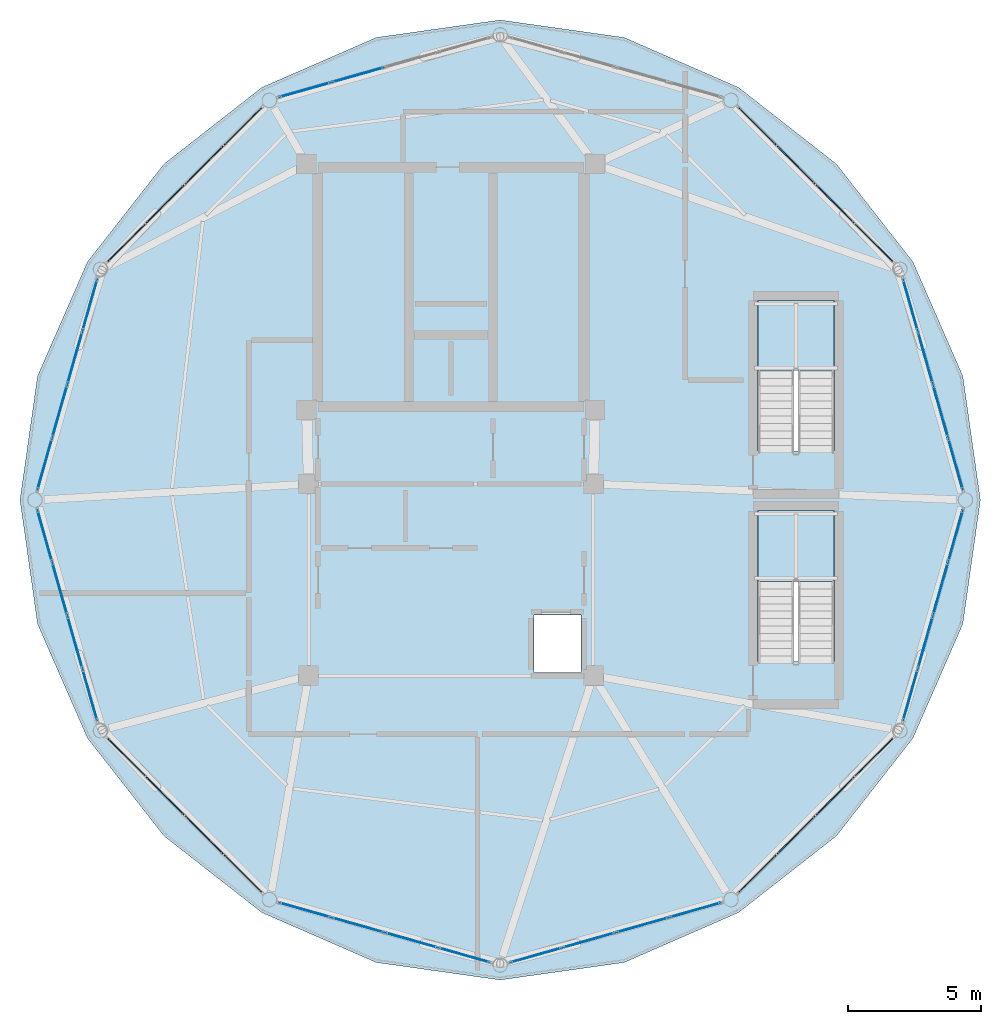
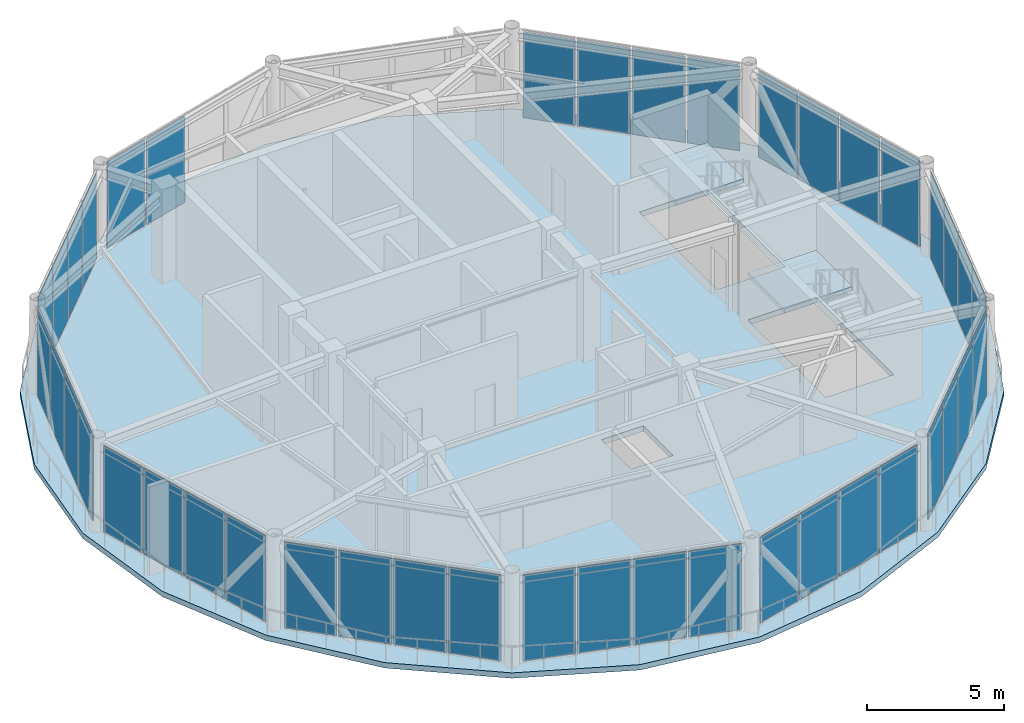
# One storey, part 15 of 20: 42 plates, 3 slabs, 13 elements without a shape of their own.
"""IFC4 building model written with IfcOpenShell, lengths in metres."""

from ifc_helpers import new_model, si_unit, direction, frame, origin, origin_2d, place, context, subcontext, project, spatial, polyline, rectangle, outline, extrude, source, transform, mapped, material, layer, layer_set, type_object, type_shapes, element, aggregate, save


model = new_model("IFC4")

# Units and contexts
model_context = context("Model", 3, precision=1e-05, world=origin(), true_north=direction((0.0, 1.0)))
body_context = subcontext(model_context, "Body", "Model", "MODEL_VIEW")
ifc_project = project(units=[si_unit("LENGTHUNIT", "METRE"), si_unit("AREAUNIT", "SQUARE_METRE"), si_unit("VOLUMEUNIT", "CUBIC_METRE"), si_unit("PLANEANGLEUNIT", "RADIAN"), si_unit("MASSUNIT", "GRAM", prefix="KILO")], contexts=[model_context])

# Site, building, storey
site_placement = place(None, origin())
site = spatial("IfcSite", under=ifc_project, at=site_placement, CompositionType="ELEMENT")
building_placement = place(site_placement, origin())
building = spatial("IfcBuilding", under=site, at=building_placement, Name="Varnakorn Sky Granary", CompositionType="ELEMENT")
storey_placement = place(building_placement, frame((0.0, 0.0, 302.39990234375)))
storey = spatial("IfcBuildingStorey", under=building, at=storey_placement, Name="L77", CompositionType="ELEMENT", Elevation=302.39990234375)

# Stair, slab
ifc_material_1 = material(Name="Concrete C40/50", Category="concrete")
stair_type = type_object("IfcStairType", Name="ST-CRWN-ASSEMBLY", PredefinedType="HALF_TURN_STAIR", material=ifc_material_1)
stair_1_placement = place(storey_placement, origin())
stair_1 = element("IfcStair", 1, at=stair_1_placement, inside=storey, type_object=stair_type, Name="L77 Crown North Exit Stair ST-C1", PredefinedType="HALF_TURN_STAIR")
ifc_layer_1 = layer(ifc_material_1, 0.199951171875, Name="Concrete C40/50")
ifc_layer_set_1 = layer_set([ifc_layer_1], Name="Concrete C40/50")
slab_type_1 = type_object("IfcSlabType", Name="ST-CRWN-LAND", PredefinedType="LANDING", material=ifc_layer_set_1)
slab_1_placement = place(storey_placement, frame((0.0, 0.0, 1.900146484375)))
slab_1 = element("IfcSlab", 2, at=slab_1_placement, type_object=slab_type_1, Name="ST-C1 landing 1", PredefinedType="LANDING", context=body_context, shape_type="SweptSolid", body=[
    extrude(outline(polyline([(17.39990234375, 4.840087890625), (17.39990234375, 7.5), (14.530029296875, 7.5), (14.530029296875, 4.840087890625), (17.39990234375, 4.840087890625)])), origin(), (0.0, 0.0, 1.0), 0.199951171875),
])
aggregate(stair_1, [slab_1])

stair_2_placement = place(storey_placement, origin())
stair_2 = element("IfcStair", 3, at=stair_2_placement, inside=storey, type_object=stair_type, Name="L77 Crown South Exit Stair ST-C2", PredefinedType="HALF_TURN_STAIR")
slab_2_placement = place(storey_placement, frame((0.0, 0.0, 1.900146484375)))
slab_2 = element("IfcSlab", 4, at=slab_2_placement, type_object=slab_type_1, Name="ST-C2 landing 1", PredefinedType="LANDING", context=body_context, shape_type="SweptSolid", body=[
    extrude(outline(polyline([(17.39990234375, -3.06005859375), (17.39990234375, -0.39990234375), (14.530029296875, -0.39990234375), (14.530029296875, -3.06005859375), (17.39990234375, -3.06005859375)])), origin(), (0.0, 0.0, 1.0), 0.199951171875),
])
aggregate(stair_2, [slab_2])

# Slab
ifc_material_2 = material(Name="Concrete C50/60", Category="concrete")
ifc_layer_2 = layer(ifc_material_2, 0.239990234375, Name="Concrete C50/60")
ifc_layer_set_2 = layer_set([ifc_layer_2], Name="Concrete C50/60")
slab_type_2 = type_object("IfcSlabType", Name="ST-SL-TWR-240", PredefinedType="FLOOR", material=ifc_layer_set_2)
slab_3_placement = place(storey_placement, frame((0.0, 0.0, -0.239990234375)))
element("IfcSlab", 5, at=slab_3_placement, inside=storey, type_object=slab_type_2, Name="Level L77 Structural Floor Slab", PredefinedType="FLOOR", context=body_context, shape_type="SweptSolid", body=[
    extrude(outline(polyline([(22.89306640625, 0.0), (22.234619140625, 4.656494140625), (20.35888671875, 8.950439453125), (17.48095703125, 12.626220703125), (13.803955078125, 15.502685546875), (9.50830078125, 17.3779296875), (4.85009765625, 18.035888671875), (0.19189453125, 17.3779296875), (-4.10400390625, 15.502685546875), (-7.781005859375, 12.626220703125), (-10.65869140625, 8.950439453125), (-12.53466796875, 4.656494140625), (-13.193115234375, 0.0), (-12.53466796875, -4.656494140625), (-10.65869140625, -8.950439453125), (-7.781005859375, -12.626220703125), (-4.10400390625, -15.502685546875), (0.19189453125, -17.3779296875), (4.85009765625, -18.035888671875), (9.50830078125, -17.3779296875), (13.803955078125, -15.502685546875), (17.48095703125, -12.626220703125), (20.35888671875, -8.950439453125), (22.234619140625, -4.656494140625), (22.89306640625, 0.0)]), holes=[polyline([(17.39990234375, 1.8349609375), (17.39990234375, 7.5), (14.530029296875, 7.5), (14.530029296875, 1.8349609375), (17.39990234375, 1.8349609375)]), polyline([(17.39990234375, -6.06494140625), (17.39990234375, -0.39990234375), (14.530029296875, -0.39990234375), (14.530029296875, -6.06494140625), (17.39990234375, -6.06494140625)]), polyline([(6.1201171875, -6.47998046875), (7.8798828125, -6.47998046875), (7.8798828125, -4.320068359375), (6.1201171875, -4.320068359375), (6.1201171875, -6.47998046875)])]), origin(), (0.0, 0.0, 1.0), 0.239990234375),
])

# Curtain wall, plates
ifc_material_3 = material(Name="Anodised Bronze Aluminium Alloy 6063-T6", Category="aluminium")
ifc_layer_3 = layer(ifc_material_3, 0.22998046875, Name="Anodised Bronze Aluminium Alloy 6063-T6")
ifc_layer_set_3 = layer_set([ifc_layer_3], Name="Anodised Bronze Aluminium Alloy 6063-T6")
curtain_wall_type = type_object("IfcCurtainWallType", Name="CW-LNT-1", PredefinedType="USERDEFINED", material=ifc_layer_set_3)
curtain_wall_1_placement = place(storey_placement, origin())
curtain_wall_1 = element("IfcCurtainWall", 6, at=curtain_wall_1_placement, inside=storey, type_object=curtain_wall_type, Name="Unitised Curtain Wall CW7 CW-L77-B01", ObjectType="CURTAIN WALL", PredefinedType="USERDEFINED")
ifc_material_4 = material(Name="Opaque Insulated Aluminium Shadow-Box Unit", Category="aluminium")
ifc_layer_4 = layer(ifc_material_4, 0.035888671875, Name="Opaque Insulated Aluminium Shadow-Box Unit")
ifc_layer_set_4 = layer_set([ifc_layer_4], Name="Opaque Insulated Aluminium Shadow-Box Unit")
plate_type = type_object("IfcPlateType", Name="CW-LNT-1-PNL", PredefinedType="CURTAIN_PANEL")
shared_shape_1 = source(origin(), body_context, "Body", "SweptSolid", [
    extrude(rectangle(XDim=1.97216796875, YDim=0.035888671875, at=origin_2d()), origin(), (0.0, 0.0, 1.0), 3.81005859375),
])
plate_1_placement = place(storey_placement, frame((20.2646484375, 7.328125, 0.074951171875), z_axis=(0.0, 0.0, 1.0), x_axis=(0.272859552634, -0.962053878188, 0.0)))
plate_1 = element("IfcPlate", 7, at=plate_1_placement, type_object=plate_type, material=ifc_layer_set_4, Name="CW7 opaque insulated shadow-box unit 1.1", PredefinedType="CURTAIN_PANEL", context=body_context, shape_type="MappedRepresentation", body=[
    mapped(shared_shape_1, transform((0.0, 0.0, 0.0), x_axis=(1.0, 0.0, 0.0), y_axis=(0.0, 1.0, 0.0), z_axis=(0.0, 0.0, 1.0), scale=1.0)),
])
ifc_material_5 = material(Name="Low-E Tinted Laminated Glass", Category="glass")
ifc_layer_5 = layer(ifc_material_5, 0.035888671875, Name="Low-E Tinted Laminated Glass")
ifc_layer_set_5 = layer_set([ifc_layer_5], Name="Low-E Tinted Laminated Glass")
plate_2_placement = place(storey_placement, frame((21.9609375, 1.347412109375, 0.074951171875), z_axis=(0.0, 0.0, 1.0), x_axis=(0.272859552634, -0.962053878188, 0.0)))
plate_2 = element("IfcPlate", 8, at=plate_2_placement, type_object=plate_type, material=ifc_layer_set_5, Name="CW7 vision glazing unit 4.1", PredefinedType="CURTAIN_PANEL", context=body_context, shape_type="MappedRepresentation", body=[
    mapped(shared_shape_1, transform((0.0, 0.0, 0.0), x_axis=(1.0, 0.0, 0.0), y_axis=(0.0, 1.0, 0.0), z_axis=(0.0, 0.0, 1.0), scale=1.0)),
])

curtain_wall_2_placement = place(storey_placement, origin())
curtain_wall_2 = element("IfcCurtainWall", 9, at=curtain_wall_2_placement, inside=storey, type_object=curtain_wall_type, Name="Unitised Curtain Wall CW7 CW-L77-B06", ObjectType="CURTAIN WALL", PredefinedType="USERDEFINED")
plate_3_placement = place(storey_placement, frame((-12.260986328125, 1.347412109375, 0.074951171875), z_axis=(0.0, 0.0, 1.0), x_axis=(0.272859552634, 0.962053878188, 0.0)))
plate_3 = element("IfcPlate", 10, at=plate_3_placement, type_object=plate_type, material=ifc_layer_set_5, Name="CW7 vision glazing unit 1.1", PredefinedType="CURTAIN_PANEL", context=body_context, shape_type="MappedRepresentation", body=[
    mapped(shared_shape_1, transform((0.0, 0.0, 0.0), x_axis=(1.0, 0.0, 0.0), y_axis=(0.0, 1.0, 0.0), z_axis=(0.0, 0.0, 1.0), scale=1.0)),
])
plate_4_placement = place(storey_placement, frame((-10.564697265625, 7.328125, 0.074951171875), z_axis=(0.0, 0.0, 1.0), x_axis=(0.272859552634, 0.962053878188, 0.0)))
plate_4 = element("IfcPlate", 11, at=plate_4_placement, type_object=plate_type, material=ifc_layer_set_4, Name="CW7 opaque insulated shadow-box unit 4.1", PredefinedType="CURTAIN_PANEL", context=body_context, shape_type="MappedRepresentation", body=[
    mapped(shared_shape_1, transform((0.0, 0.0, 0.0), x_axis=(1.0, 0.0, 0.0), y_axis=(0.0, 1.0, 0.0), z_axis=(0.0, 0.0, 1.0), scale=1.0)),
])

curtain_wall_3_placement = place(storey_placement, origin())
curtain_wall_3 = element("IfcCurtainWall", 12, at=curtain_wall_3_placement, inside=storey, type_object=curtain_wall_type, Name="Unitised Curtain Wall CW7 CW-L77-B07", ObjectType="CURTAIN WALL", PredefinedType="USERDEFINED")
plate_5_placement = place(storey_placement, frame((-10.564697265625, -7.328125, 0.074951171875), z_axis=(0.0, 0.0, 1.0), x_axis=(-0.272859552634, 0.962053878188, 0.0)))
plate_5 = element("IfcPlate", 13, at=plate_5_placement, type_object=plate_type, material=ifc_layer_set_4, Name="CW7 opaque insulated shadow-box unit 1.1", PredefinedType="CURTAIN_PANEL", context=body_context, shape_type="MappedRepresentation", body=[
    mapped(shared_shape_1, transform((0.0, 0.0, 0.0), x_axis=(1.0, 0.0, 0.0), y_axis=(0.0, 1.0, 0.0), z_axis=(0.0, 0.0, 1.0), scale=1.0)),
])
plate_6_placement = place(storey_placement, frame((-12.260986328125, -1.347412109375, 0.074951171875), z_axis=(0.0, 0.0, 1.0), x_axis=(-0.272859552634, 0.962053878188, 0.0)))
plate_6 = element("IfcPlate", 14, at=plate_6_placement, type_object=plate_type, material=ifc_layer_set_5, Name="CW7 vision glazing unit 4.1", PredefinedType="CURTAIN_PANEL", context=body_context, shape_type="MappedRepresentation", body=[
    mapped(shared_shape_1, transform((0.0, 0.0, 0.0), x_axis=(1.0, 0.0, 0.0), y_axis=(0.0, 1.0, 0.0), z_axis=(0.0, 0.0, 1.0), scale=1.0)),
])

curtain_wall_4_placement = place(storey_placement, origin())
curtain_wall_4 = element("IfcCurtainWall", 15, at=curtain_wall_4_placement, inside=storey, type_object=curtain_wall_type, Name="Unitised Curtain Wall CW7 CW-L77-B12", ObjectType="CURTAIN WALL", PredefinedType="USERDEFINED")
plate_7_placement = place(storey_placement, frame((21.9609375, -1.347412109375, 0.074951171875), z_axis=(0.0, 0.0, 1.0), x_axis=(-0.272859552634, -0.962053878188, 0.0)))
plate_7 = element("IfcPlate", 16, at=plate_7_placement, type_object=plate_type, material=ifc_layer_set_5, Name="CW7 vision glazing unit 1.1", PredefinedType="CURTAIN_PANEL", context=body_context, shape_type="MappedRepresentation", body=[
    mapped(shared_shape_1, transform((0.0, 0.0, 0.0), x_axis=(1.0, 0.0, 0.0), y_axis=(0.0, 1.0, 0.0), z_axis=(0.0, 0.0, 1.0), scale=1.0)),
])
plate_8_placement = place(storey_placement, frame((20.2646484375, -7.328125, 0.074951171875), z_axis=(0.0, 0.0, 1.0), x_axis=(-0.272859552634, -0.962053878188, 0.0)))
plate_8 = element("IfcPlate", 17, at=plate_8_placement, type_object=plate_type, material=ifc_layer_set_4, Name="CW7 opaque insulated shadow-box unit 4.1", PredefinedType="CURTAIN_PANEL", context=body_context, shape_type="MappedRepresentation", body=[
    mapped(shared_shape_1, transform((0.0, 0.0, 0.0), x_axis=(1.0, 0.0, 0.0), y_axis=(0.0, 1.0, 0.0), z_axis=(0.0, 0.0, 1.0), scale=1.0)),
])

# Plate
shared_shape_2 = source(origin(), body_context, "Body", "SweptSolid", [
    extrude(rectangle(XDim=2.009765625, YDim=0.035888671875, at=origin_2d()), origin(), (0.0, 0.0, 1.0), 3.81005859375),
])
plate_9_placement = place(storey_placement, frame((20.828369140625, 5.340576171875, 0.074951171875), z_axis=(0.0, 0.0, 1.0), x_axis=(0.272859552634, -0.962053878188, 0.0)))
plate_9 = element("IfcPlate", 18, at=plate_9_placement, type_object=plate_type, material=ifc_layer_set_4, Name="CW7 opaque insulated shadow-box unit 2.1", PredefinedType="CURTAIN_PANEL", context=body_context, shape_type="MappedRepresentation", body=[
    mapped(shared_shape_2, transform((0.0, 0.0, 0.0), x_axis=(1.0, 0.0, 0.0), y_axis=(0.0, 1.0, 0.0), z_axis=(0.0, 0.0, 1.0), scale=1.0)),
])

plate_10_placement = place(storey_placement, frame((21.397216796875, 3.3349609375, 0.074951171875), z_axis=(0.0, 0.0, 1.0), x_axis=(0.272859552634, -0.962053878188, 0.0)))
plate_10 = element("IfcPlate", 19, at=plate_10_placement, type_object=plate_type, material=ifc_layer_set_5, Name="CW7 vision glazing unit 3.1", PredefinedType="CURTAIN_PANEL", context=body_context, shape_type="MappedRepresentation", body=[
    mapped(shared_shape_2, transform((0.0, 0.0, 0.0), x_axis=(1.0, 0.0, 0.0), y_axis=(0.0, 1.0, 0.0), z_axis=(0.0, 0.0, 1.0), scale=1.0)),
])

aggregate(curtain_wall_1, [plate_1, plate_9, plate_10, plate_2])

plate_11_placement = place(storey_placement, frame((-11.697265625, 3.3349609375, 0.074951171875), z_axis=(0.0, 0.0, 1.0), x_axis=(0.272859552634, 0.962053878188, 0.0)))
plate_11 = element("IfcPlate", 20, at=plate_11_placement, type_object=plate_type, material=ifc_layer_set_5, Name="CW7 vision glazing unit 2.1", PredefinedType="CURTAIN_PANEL", context=body_context, shape_type="MappedRepresentation", body=[
    mapped(shared_shape_2, transform((0.0, 0.0, 0.0), x_axis=(1.0, 0.0, 0.0), y_axis=(0.0, 1.0, 0.0), z_axis=(0.0, 0.0, 1.0), scale=1.0)),
])

plate_12_placement = place(storey_placement, frame((-11.12841796875, 5.340576171875, 0.074951171875), z_axis=(0.0, 0.0, 1.0), x_axis=(0.272859552634, 0.962053878188, 0.0)))
plate_12 = element("IfcPlate", 21, at=plate_12_placement, type_object=plate_type, material=ifc_layer_set_4, Name="CW7 opaque insulated shadow-box unit 3.1", PredefinedType="CURTAIN_PANEL", context=body_context, shape_type="MappedRepresentation", body=[
    mapped(shared_shape_2, transform((0.0, 0.0, 0.0), x_axis=(1.0, 0.0, 0.0), y_axis=(0.0, 1.0, 0.0), z_axis=(0.0, 0.0, 1.0), scale=1.0)),
])

aggregate(curtain_wall_2, [plate_3, plate_11, plate_12, plate_4])

plate_13_placement = place(storey_placement, frame((-11.12841796875, -5.340576171875, 0.074951171875), z_axis=(0.0, 0.0, 1.0), x_axis=(-0.272859552634, 0.962053878188, 0.0)))
plate_13 = element("IfcPlate", 22, at=plate_13_placement, type_object=plate_type, material=ifc_layer_set_4, Name="CW7 opaque insulated shadow-box unit 2.1", PredefinedType="CURTAIN_PANEL", context=body_context, shape_type="MappedRepresentation", body=[
    mapped(shared_shape_2, transform((0.0, 0.0, 0.0), x_axis=(1.0, 0.0, 0.0), y_axis=(0.0, 1.0, 0.0), z_axis=(0.0, 0.0, 1.0), scale=1.0)),
])

plate_14_placement = place(storey_placement, frame((-11.697265625, -3.3349609375, 0.074951171875), z_axis=(0.0, 0.0, 1.0), x_axis=(-0.272859552634, 0.962053878188, 0.0)))
plate_14 = element("IfcPlate", 23, at=plate_14_placement, type_object=plate_type, material=ifc_layer_set_5, Name="CW7 vision glazing unit 3.1", PredefinedType="CURTAIN_PANEL", context=body_context, shape_type="MappedRepresentation", body=[
    mapped(shared_shape_2, transform((0.0, 0.0, 0.0), x_axis=(1.0, 0.0, 0.0), y_axis=(0.0, 1.0, 0.0), z_axis=(0.0, 0.0, 1.0), scale=1.0)),
])

aggregate(curtain_wall_3, [plate_5, plate_13, plate_14, plate_6])

plate_15_placement = place(storey_placement, frame((21.397216796875, -3.3349609375, 0.074951171875), z_axis=(0.0, 0.0, 1.0), x_axis=(-0.272859552634, -0.962053878188, 0.0)))
plate_15 = element("IfcPlate", 24, at=plate_15_placement, type_object=plate_type, material=ifc_layer_set_5, Name="CW7 vision glazing unit 2.1", PredefinedType="CURTAIN_PANEL", context=body_context, shape_type="MappedRepresentation", body=[
    mapped(shared_shape_2, transform((0.0, 0.0, 0.0), x_axis=(1.0, 0.0, 0.0), y_axis=(0.0, 1.0, 0.0), z_axis=(0.0, 0.0, 1.0), scale=1.0)),
])

plate_16_placement = place(storey_placement, frame((20.828369140625, -5.340576171875, 0.074951171875), z_axis=(0.0, 0.0, 1.0), x_axis=(-0.272859552634, -0.962053878188, 0.0)))
plate_16 = element("IfcPlate", 25, at=plate_16_placement, type_object=plate_type, material=ifc_layer_set_4, Name="CW7 opaque insulated shadow-box unit 3.1", PredefinedType="CURTAIN_PANEL", context=body_context, shape_type="MappedRepresentation", body=[
    mapped(shared_shape_2, transform((0.0, 0.0, 0.0), x_axis=(1.0, 0.0, 0.0), y_axis=(0.0, 1.0, 0.0), z_axis=(0.0, 0.0, 1.0), scale=1.0)),
])

aggregate(curtain_wall_4, [plate_7, plate_15, plate_16, plate_8])

# Curtain wall, plates
curtain_wall_5_placement = place(storey_placement, origin())
curtain_wall_5 = element("IfcCurtainWall", 26, at=curtain_wall_5_placement, inside=storey, type_object=curtain_wall_type, Name="Unitised Curtain Wall CW7 CW-L77-B02", ObjectType="CURTAIN WALL", PredefinedType="USERDEFINED")
shared_shape_3 = source(origin(), body_context, "Body", "SweptSolid", [
    extrude(rectangle(XDim=1.963623046875, YDim=0.035888671875, at=origin_2d()), origin(), (0.0, 0.0, 1.0), 3.81005859375),
])
plate_17_placement = place(storey_placement, frame((14.5166015625, 14.039306640625, 0.074951171875), z_axis=(0.0, 0.0, 1.0), x_axis=(0.707251268066, -0.706962264777, 0.0)))
plate_17 = element("IfcPlate", 27, at=plate_17_placement, type_object=plate_type, material=ifc_layer_set_5, Name="CW7 vision glazing unit 1.1", PredefinedType="CURTAIN_PANEL", context=body_context, shape_type="MappedRepresentation", body=[
    mapped(shared_shape_3, transform((0.0, 0.0, 0.0), x_axis=(1.0, 0.0, 0.0), y_axis=(0.0, 1.0, 0.0), z_axis=(0.0, 0.0, 1.0), scale=1.0)),
])
plate_18_placement = place(storey_placement, frame((18.89501953125, 9.66259765625, 0.074951171875), z_axis=(0.0, 0.0, 1.0), x_axis=(0.707251268066, -0.706962264777, 0.0)))
plate_18 = element("IfcPlate", 28, at=plate_18_placement, type_object=plate_type, material=ifc_layer_set_4, Name="CW7 opaque insulated shadow-box unit 4.1", PredefinedType="CURTAIN_PANEL", context=body_context, shape_type="MappedRepresentation", body=[
    mapped(shared_shape_3, transform((0.0, 0.0, 0.0), x_axis=(1.0, 0.0, 0.0), y_axis=(0.0, 1.0, 0.0), z_axis=(0.0, 0.0, 1.0), scale=1.0)),
])

curtain_wall_6_placement = place(storey_placement, origin())
curtain_wall_6 = element("IfcCurtainWall", 29, at=curtain_wall_6_placement, inside=storey, type_object=curtain_wall_type, Name="Unitised Curtain Wall CW7 CW-L77-B05", ObjectType="CURTAIN WALL", PredefinedType="USERDEFINED")
plate_19_placement = place(storey_placement, frame((-9.195068359375, 9.66259765625, 0.074951171875), z_axis=(0.0, 0.0, 1.0), x_axis=(0.707251268066, 0.706962264777, 0.0)))
plate_19 = element("IfcPlate", 30, at=plate_19_placement, type_object=plate_type, material=ifc_layer_set_4, Name="CW7 opaque insulated shadow-box unit 1.1", PredefinedType="CURTAIN_PANEL", context=body_context, shape_type="MappedRepresentation", body=[
    mapped(shared_shape_3, transform((0.0, 0.0, 0.0), x_axis=(1.0, 0.0, 0.0), y_axis=(0.0, 1.0, 0.0), z_axis=(0.0, 0.0, 1.0), scale=1.0)),
])
plate_20_placement = place(storey_placement, frame((-4.81640625, 14.039306640625, 0.074951171875), z_axis=(0.0, 0.0, 1.0), x_axis=(0.707251268066, 0.706962264777, 0.0)))
plate_20 = element("IfcPlate", 31, at=plate_20_placement, type_object=plate_type, material=ifc_layer_set_5, Name="CW7 vision glazing unit 4.1", PredefinedType="CURTAIN_PANEL", context=body_context, shape_type="MappedRepresentation", body=[
    mapped(shared_shape_3, transform((0.0, 0.0, 0.0), x_axis=(1.0, 0.0, 0.0), y_axis=(0.0, 1.0, 0.0), z_axis=(0.0, 0.0, 1.0), scale=1.0)),
])

curtain_wall_7_placement = place(storey_placement, origin())
curtain_wall_7 = element("IfcCurtainWall", 32, at=curtain_wall_7_placement, inside=storey, type_object=curtain_wall_type, Name="Unitised Curtain Wall CW7 CW-L77-B08", ObjectType="CURTAIN WALL", PredefinedType="USERDEFINED")
plate_21_placement = place(storey_placement, frame((-4.81640625, -14.039306640625, 0.074951171875), z_axis=(0.0, 0.0, 1.0), x_axis=(-0.707251268066, 0.706962264777, 0.0)))
plate_21 = element("IfcPlate", 33, at=plate_21_placement, type_object=plate_type, material=ifc_layer_set_5, Name="CW7 vision glazing unit 1.1", PredefinedType="CURTAIN_PANEL", context=body_context, shape_type="MappedRepresentation", body=[
    mapped(shared_shape_3, transform((0.0, 0.0, 0.0), x_axis=(1.0, 0.0, 0.0), y_axis=(0.0, 1.0, 0.0), z_axis=(0.0, 0.0, 1.0), scale=1.0)),
])
plate_22_placement = place(storey_placement, frame((-9.195068359375, -9.66259765625, 0.074951171875), z_axis=(0.0, 0.0, 1.0), x_axis=(-0.707251268066, 0.706962264777, 0.0)))
plate_22 = element("IfcPlate", 34, at=plate_22_placement, type_object=plate_type, material=ifc_layer_set_4, Name="CW7 opaque insulated shadow-box unit 4.1", PredefinedType="CURTAIN_PANEL", context=body_context, shape_type="MappedRepresentation", body=[
    mapped(shared_shape_3, transform((0.0, 0.0, 0.0), x_axis=(1.0, 0.0, 0.0), y_axis=(0.0, 1.0, 0.0), z_axis=(0.0, 0.0, 1.0), scale=1.0)),
])

curtain_wall_8_placement = place(storey_placement, origin())
curtain_wall_8 = element("IfcCurtainWall", 35, at=curtain_wall_8_placement, inside=storey, type_object=curtain_wall_type, Name="Unitised Curtain Wall CW7 CW-L77-B11", ObjectType="CURTAIN WALL", PredefinedType="USERDEFINED")
plate_23_placement = place(storey_placement, frame((18.89501953125, -9.66259765625, 0.074951171875), z_axis=(0.0, 0.0, 1.0), x_axis=(-0.707251268066, -0.706962264777, 0.0)))
plate_23 = element("IfcPlate", 36, at=plate_23_placement, type_object=plate_type, material=ifc_layer_set_4, Name="CW7 opaque insulated shadow-box unit 1.1", PredefinedType="CURTAIN_PANEL", context=body_context, shape_type="MappedRepresentation", body=[
    mapped(shared_shape_3, transform((0.0, 0.0, 0.0), x_axis=(1.0, 0.0, 0.0), y_axis=(0.0, 1.0, 0.0), z_axis=(0.0, 0.0, 1.0), scale=1.0)),
])
plate_24_placement = place(storey_placement, frame((14.5166015625, -14.039306640625, 0.074951171875), z_axis=(0.0, 0.0, 1.0), x_axis=(-0.707251268066, -0.706962264777, 0.0)))
plate_24 = element("IfcPlate", 37, at=plate_24_placement, type_object=plate_type, material=ifc_layer_set_5, Name="CW7 vision glazing unit 4.1", PredefinedType="CURTAIN_PANEL", context=body_context, shape_type="MappedRepresentation", body=[
    mapped(shared_shape_3, transform((0.0, 0.0, 0.0), x_axis=(1.0, 0.0, 0.0), y_axis=(0.0, 1.0, 0.0), z_axis=(0.0, 0.0, 1.0), scale=1.0)),
])

# Plate
shared_shape_4 = source(origin(), body_context, "Body", "SweptSolid", [
    extrude(rectangle(XDim=2.001220703125, YDim=0.035888671875, at=origin_2d()), origin(), (0.0, 0.0, 1.0), 3.81005859375),
])
plate_25_placement = place(storey_placement, frame((15.9716796875, 12.584716796875, 0.074951171875), z_axis=(0.0, 0.0, 1.0), x_axis=(0.707251268066, -0.706962264777, 0.0)))
plate_25 = element("IfcPlate", 38, at=plate_25_placement, type_object=plate_type, material=ifc_layer_set_5, Name="CW7 vision glazing unit 2.1", PredefinedType="CURTAIN_PANEL", context=body_context, shape_type="MappedRepresentation", body=[
    mapped(shared_shape_4, transform((0.0, 0.0, 0.0), x_axis=(1.0, 0.0, 0.0), y_axis=(0.0, 1.0, 0.0), z_axis=(0.0, 0.0, 1.0), scale=1.0)),
])

plate_26_placement = place(storey_placement, frame((17.43994140625, 11.1171875, 0.074951171875), z_axis=(0.0, 0.0, 1.0), x_axis=(0.707251268066, -0.706962264777, 0.0)))
plate_26 = element("IfcPlate", 39, at=plate_26_placement, type_object=plate_type, material=ifc_layer_set_4, Name="CW7 opaque insulated shadow-box unit 3.1", PredefinedType="CURTAIN_PANEL", context=body_context, shape_type="MappedRepresentation", body=[
    mapped(shared_shape_4, transform((0.0, 0.0, 0.0), x_axis=(1.0, 0.0, 0.0), y_axis=(0.0, 1.0, 0.0), z_axis=(0.0, 0.0, 1.0), scale=1.0)),
])

aggregate(curtain_wall_5, [plate_17, plate_25, plate_26, plate_18])

plate_27_placement = place(storey_placement, frame((-7.739990234375, 11.1171875, 0.074951171875), z_axis=(0.0, 0.0, 1.0), x_axis=(0.707251268066, 0.706962264777, 0.0)))
plate_27 = element("IfcPlate", 40, at=plate_27_placement, type_object=plate_type, material=ifc_layer_set_4, Name="CW7 opaque insulated shadow-box unit 2.1", PredefinedType="CURTAIN_PANEL", context=body_context, shape_type="MappedRepresentation", body=[
    mapped(shared_shape_4, transform((0.0, 0.0, 0.0), x_axis=(1.0, 0.0, 0.0), y_axis=(0.0, 1.0, 0.0), z_axis=(0.0, 0.0, 1.0), scale=1.0)),
])

plate_28_placement = place(storey_placement, frame((-6.271484375, 12.584716796875, 0.074951171875), z_axis=(0.0, 0.0, 1.0), x_axis=(0.707251268066, 0.706962264777, 0.0)))
plate_28 = element("IfcPlate", 41, at=plate_28_placement, type_object=plate_type, material=ifc_layer_set_5, Name="CW7 vision glazing unit 3.1", PredefinedType="CURTAIN_PANEL", context=body_context, shape_type="MappedRepresentation", body=[
    mapped(shared_shape_4, transform((0.0, 0.0, 0.0), x_axis=(1.0, 0.0, 0.0), y_axis=(0.0, 1.0, 0.0), z_axis=(0.0, 0.0, 1.0), scale=1.0)),
])

aggregate(curtain_wall_6, [plate_19, plate_27, plate_28, plate_20])

plate_29_placement = place(storey_placement, frame((-6.271484375, -12.584716796875, 0.074951171875), z_axis=(0.0, 0.0, 1.0), x_axis=(-0.707251268066, 0.706962264777, 0.0)))
plate_29 = element("IfcPlate", 42, at=plate_29_placement, type_object=plate_type, material=ifc_layer_set_5, Name="CW7 vision glazing unit 2.1", PredefinedType="CURTAIN_PANEL", context=body_context, shape_type="MappedRepresentation", body=[
    mapped(shared_shape_4, transform((0.0, 0.0, 0.0), x_axis=(1.0, 0.0, 0.0), y_axis=(0.0, 1.0, 0.0), z_axis=(0.0, 0.0, 1.0), scale=1.0)),
])

plate_30_placement = place(storey_placement, frame((-7.739990234375, -11.1171875, 0.074951171875), z_axis=(0.0, 0.0, 1.0), x_axis=(-0.707251268066, 0.706962264777, 0.0)))
plate_30 = element("IfcPlate", 43, at=plate_30_placement, type_object=plate_type, material=ifc_layer_set_4, Name="CW7 opaque insulated shadow-box unit 3.1", PredefinedType="CURTAIN_PANEL", context=body_context, shape_type="MappedRepresentation", body=[
    mapped(shared_shape_4, transform((0.0, 0.0, 0.0), x_axis=(1.0, 0.0, 0.0), y_axis=(0.0, 1.0, 0.0), z_axis=(0.0, 0.0, 1.0), scale=1.0)),
])

aggregate(curtain_wall_7, [plate_21, plate_29, plate_30, plate_22])

plate_31_placement = place(storey_placement, frame((17.43994140625, -11.1171875, 0.074951171875), z_axis=(0.0, 0.0, 1.0), x_axis=(-0.707251268066, -0.706962264777, 0.0)))
plate_31 = element("IfcPlate", 44, at=plate_31_placement, type_object=plate_type, material=ifc_layer_set_4, Name="CW7 opaque insulated shadow-box unit 2.1", PredefinedType="CURTAIN_PANEL", context=body_context, shape_type="MappedRepresentation", body=[
    mapped(shared_shape_4, transform((0.0, 0.0, 0.0), x_axis=(1.0, 0.0, 0.0), y_axis=(0.0, 1.0, 0.0), z_axis=(0.0, 0.0, 1.0), scale=1.0)),
])

plate_32_placement = place(storey_placement, frame((15.9716796875, -12.584716796875, 0.074951171875), z_axis=(0.0, 0.0, 1.0), x_axis=(-0.707251268066, -0.706962264777, 0.0)))
plate_32 = element("IfcPlate", 45, at=plate_32_placement, type_object=plate_type, material=ifc_layer_set_5, Name="CW7 vision glazing unit 3.1", PredefinedType="CURTAIN_PANEL", context=body_context, shape_type="MappedRepresentation", body=[
    mapped(shared_shape_4, transform((0.0, 0.0, 0.0), x_axis=(1.0, 0.0, 0.0), y_axis=(0.0, 1.0, 0.0), z_axis=(0.0, 0.0, 1.0), scale=1.0)),
])

aggregate(curtain_wall_8, [plate_23, plate_31, plate_32, plate_24])

# Curtain wall, plate
curtain_wall_9_placement = place(storey_placement, origin())
curtain_wall_9 = element("IfcCurtainWall", 46, at=curtain_wall_9_placement, inside=storey, type_object=curtain_wall_type, Name="Unitised Curtain Wall CW7 CW-L77-B04", ObjectType="CURTAIN WALL", PredefinedType="USERDEFINED")
shared_shape_5 = source(origin(), body_context, "Body", "SweptSolid", [
    extrude(rectangle(XDim=1.972900390625, YDim=0.035888671875, at=origin_2d()), origin(), (0.0, 0.0, 1.0), 3.81005859375),
])
plate_33_placement = place(storey_placement, frame((-2.481201171875, 15.408447265625, 0.074951171875), z_axis=(0.0, 0.0, 1.0), x_axis=(0.962113415029, 0.272649549095, 0.0)))
plate_33 = element("IfcPlate", 47, at=plate_33_placement, type_object=plate_type, material=ifc_layer_set_5, Name="CW7 vision glazing unit 1.1", PredefinedType="CURTAIN_PANEL", context=body_context, shape_type="MappedRepresentation", body=[
    mapped(shared_shape_5, transform((0.0, 0.0, 0.0), x_axis=(1.0, 0.0, 0.0), y_axis=(0.0, 1.0, 0.0), z_axis=(0.0, 0.0, 1.0), scale=1.0)),
])

# Curtain wall, plates
curtain_wall_10_placement = place(storey_placement, origin())
curtain_wall_10 = element("IfcCurtainWall", 48, at=curtain_wall_10_placement, inside=storey, type_object=curtain_wall_type, Name="Unitised Curtain Wall CW7 CW-L77-B09", ObjectType="CURTAIN WALL", PredefinedType="USERDEFINED")
plate_34_placement = place(storey_placement, frame((3.502197265625, -17.10400390625, 0.074951171875), z_axis=(0.0, 0.0, 1.0), x_axis=(-0.962113415029, 0.272649549095, 0.0)))
plate_34 = element("IfcPlate", 49, at=plate_34_placement, type_object=plate_type, material=ifc_layer_set_4, Name="CW7 opaque insulated shadow-box unit 1.1", PredefinedType="CURTAIN_PANEL", context=body_context, shape_type="MappedRepresentation", body=[
    mapped(shared_shape_5, transform((0.0, 0.0, 0.0), x_axis=(1.0, 0.0, 0.0), y_axis=(0.0, 1.0, 0.0), z_axis=(0.0, 0.0, 1.0), scale=1.0)),
])
plate_35_placement = place(storey_placement, frame((-2.481201171875, -15.408447265625, 0.074951171875), z_axis=(0.0, 0.0, 1.0), x_axis=(-0.962113415029, 0.272649549095, 0.0)))
plate_35 = element("IfcPlate", 50, at=plate_35_placement, type_object=plate_type, material=ifc_layer_set_5, Name="CW7 vision glazing unit 4.1", PredefinedType="CURTAIN_PANEL", context=body_context, shape_type="MappedRepresentation", body=[
    mapped(shared_shape_5, transform((0.0, 0.0, 0.0), x_axis=(1.0, 0.0, 0.0), y_axis=(0.0, 1.0, 0.0), z_axis=(0.0, 0.0, 1.0), scale=1.0)),
])

curtain_wall_11_placement = place(storey_placement, origin())
curtain_wall_11 = element("IfcCurtainWall", 51, at=curtain_wall_11_placement, inside=storey, type_object=curtain_wall_type, Name="Unitised Curtain Wall CW7 CW-L77-B10", ObjectType="CURTAIN WALL", PredefinedType="USERDEFINED")
plate_36_placement = place(storey_placement, frame((12.18115234375, -15.408447265625, 0.074951171875), z_axis=(0.0, 0.0, 1.0), x_axis=(-0.962113415029, -0.272649549095, 0.0)))
plate_36 = element("IfcPlate", 52, at=plate_36_placement, type_object=plate_type, material=ifc_layer_set_5, Name="CW7 vision glazing unit 1.1", PredefinedType="CURTAIN_PANEL", context=body_context, shape_type="MappedRepresentation", body=[
    mapped(shared_shape_5, transform((0.0, 0.0, 0.0), x_axis=(1.0, 0.0, 0.0), y_axis=(0.0, 1.0, 0.0), z_axis=(0.0, 0.0, 1.0), scale=1.0)),
])
plate_37_placement = place(storey_placement, frame((6.19775390625, -17.10400390625, 0.074951171875), z_axis=(0.0, 0.0, 1.0), x_axis=(-0.962113415029, -0.272649549095, 0.0)))
plate_37 = element("IfcPlate", 53, at=plate_37_placement, type_object=plate_type, material=ifc_layer_set_4, Name="CW7 opaque insulated shadow-box unit 4.1", PredefinedType="CURTAIN_PANEL", context=body_context, shape_type="MappedRepresentation", body=[
    mapped(shared_shape_5, transform((0.0, 0.0, 0.0), x_axis=(1.0, 0.0, 0.0), y_axis=(0.0, 1.0, 0.0), z_axis=(0.0, 0.0, 1.0), scale=1.0)),
])

# Plate
shared_shape_6 = source(origin(), body_context, "Body", "SweptSolid", [
    extrude(rectangle(XDim=2.010498046875, YDim=0.035888671875, at=origin_2d()), origin(), (0.0, 0.0, 1.0), 3.81005859375),
])
type_shapes(plate_type, [shared_shape_1, shared_shape_2, shared_shape_3, shared_shape_4, shared_shape_5, shared_shape_6])
plate_38_placement = place(storey_placement, frame((-0.49267578125, 15.971923828125, 0.074951171875), z_axis=(0.0, 0.0, 1.0), x_axis=(0.962113415029, 0.272649549095, 0.0)))
plate_38 = element("IfcPlate", 54, at=plate_38_placement, type_object=plate_type, material=ifc_layer_set_5, Name="CW7 vision glazing unit 2.1", PredefinedType="CURTAIN_PANEL", context=body_context, shape_type="MappedRepresentation", body=[
    mapped(shared_shape_6, transform((0.0, 0.0, 0.0), x_axis=(1.0, 0.0, 0.0), y_axis=(0.0, 1.0, 0.0), z_axis=(0.0, 0.0, 1.0), scale=1.0)),
])

aggregate(curtain_wall_9, [plate_33, plate_38])

plate_39_placement = place(storey_placement, frame((1.513671875, -16.54052734375, 0.074951171875), z_axis=(0.0, 0.0, 1.0), x_axis=(-0.962113415029, 0.272649549095, 0.0)))
plate_39 = element("IfcPlate", 55, at=plate_39_placement, type_object=plate_type, material=ifc_layer_set_4, Name="CW7 opaque insulated shadow-box unit 2.1", PredefinedType="CURTAIN_PANEL", context=body_context, shape_type="MappedRepresentation", body=[
    mapped(shared_shape_6, transform((0.0, 0.0, 0.0), x_axis=(1.0, 0.0, 0.0), y_axis=(0.0, 1.0, 0.0), z_axis=(0.0, 0.0, 1.0), scale=1.0)),
])

plate_40_placement = place(storey_placement, frame((-0.49267578125, -15.971923828125, 0.074951171875), z_axis=(0.0, 0.0, 1.0), x_axis=(-0.962113415029, 0.272649549095, 0.0)))
plate_40 = element("IfcPlate", 56, at=plate_40_placement, type_object=plate_type, material=ifc_layer_set_5, Name="CW7 vision glazing unit 3.1", PredefinedType="CURTAIN_PANEL", context=body_context, shape_type="MappedRepresentation", body=[
    mapped(shared_shape_6, transform((0.0, 0.0, 0.0), x_axis=(1.0, 0.0, 0.0), y_axis=(0.0, 1.0, 0.0), z_axis=(0.0, 0.0, 1.0), scale=1.0)),
])

aggregate(curtain_wall_10, [plate_34, plate_39, plate_40, plate_35])

plate_41_placement = place(storey_placement, frame((10.192626953125, -15.971923828125, 0.074951171875), z_axis=(0.0, 0.0, 1.0), x_axis=(-0.962113415029, -0.272649549095, 0.0)))
plate_41 = element("IfcPlate", 57, at=plate_41_placement, type_object=plate_type, material=ifc_layer_set_5, Name="CW7 vision glazing unit 2.1", PredefinedType="CURTAIN_PANEL", context=body_context, shape_type="MappedRepresentation", body=[
    mapped(shared_shape_6, transform((0.0, 0.0, 0.0), x_axis=(1.0, 0.0, 0.0), y_axis=(0.0, 1.0, 0.0), z_axis=(0.0, 0.0, 1.0), scale=1.0)),
])

plate_42_placement = place(storey_placement, frame((8.186279296875, -16.54052734375, 0.074951171875), z_axis=(0.0, 0.0, 1.0), x_axis=(-0.962113415029, -0.272649549095, 0.0)))
plate_42 = element("IfcPlate", 58, at=plate_42_placement, type_object=plate_type, material=ifc_layer_set_4, Name="CW7 opaque insulated shadow-box unit 3.1", PredefinedType="CURTAIN_PANEL", context=body_context, shape_type="MappedRepresentation", body=[
    mapped(shared_shape_6, transform((0.0, 0.0, 0.0), x_axis=(1.0, 0.0, 0.0), y_axis=(0.0, 1.0, 0.0), z_axis=(0.0, 0.0, 1.0), scale=1.0)),
])

aggregate(curtain_wall_11, [plate_36, plate_41, plate_42, plate_37])

save(model, "model.ifc")
